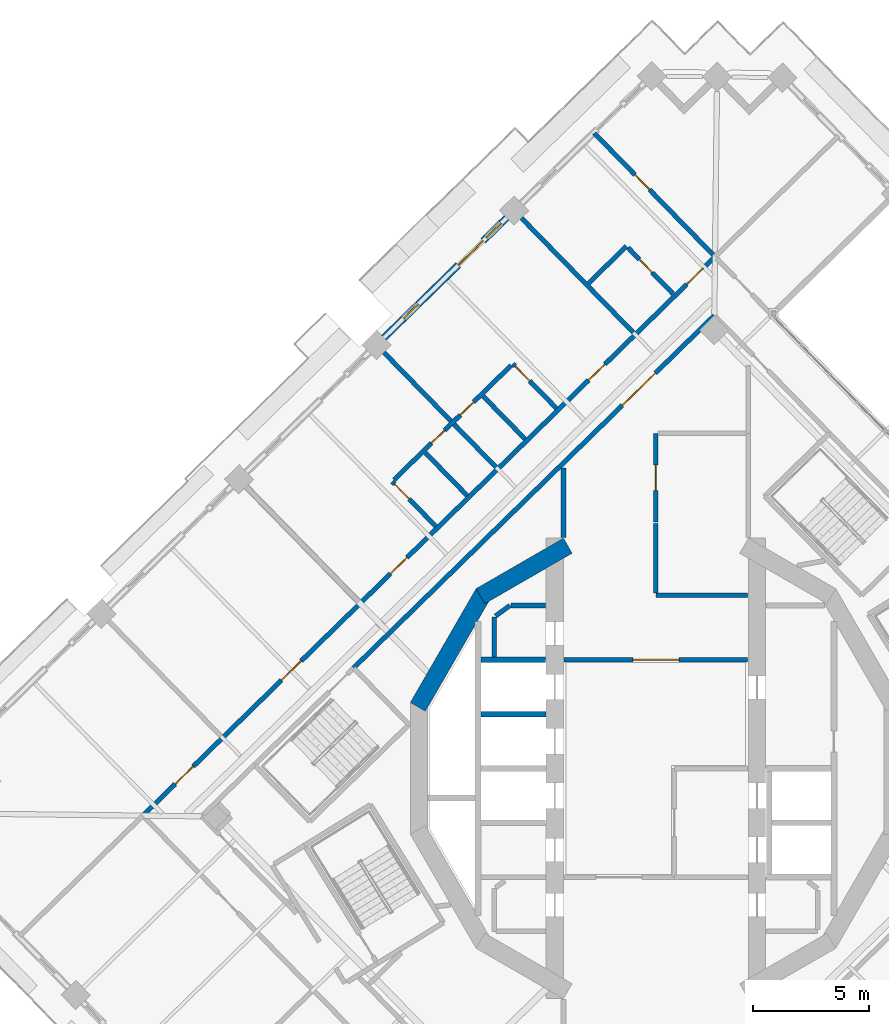
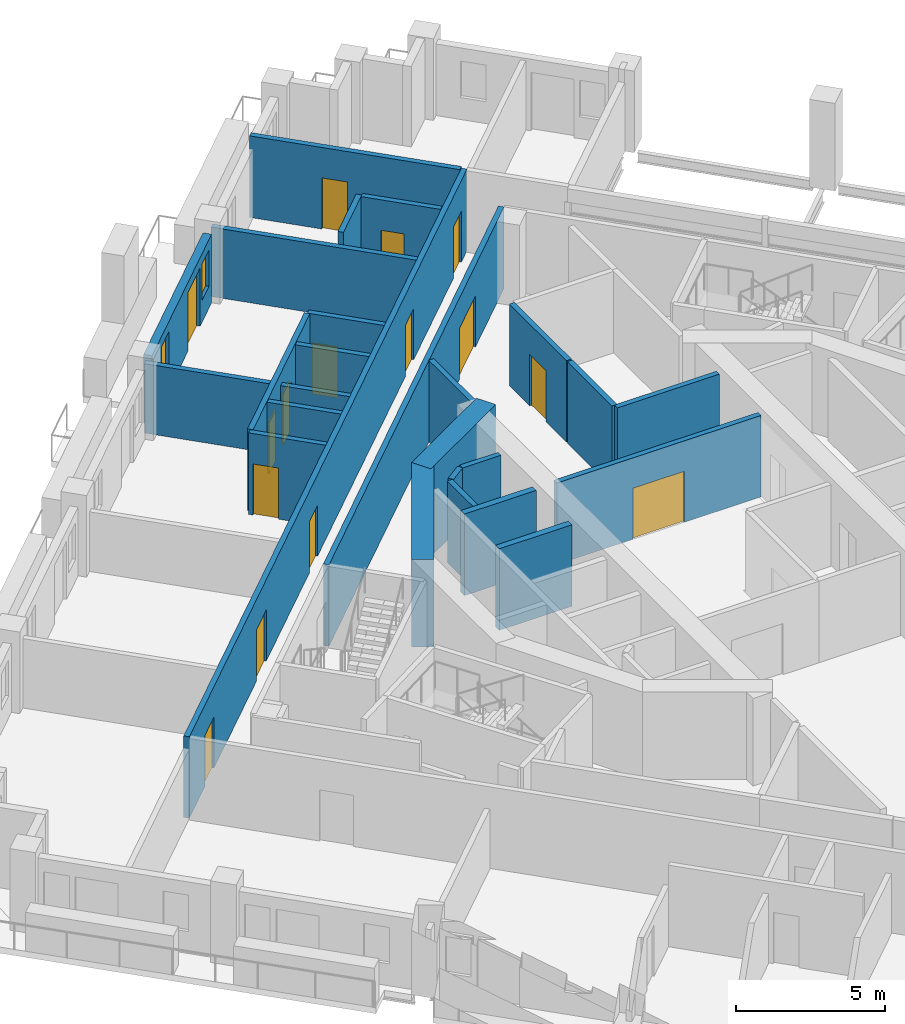
# One storey, part 11 of 20: 25 walls, 15 doors, 2 windows, 17 openings.
"""IFC4 building model written with IfcOpenShell, lengths in metres."""

from ifc_helpers import new_model, si_unit, direction, frame, frame_2d, origin, place, context, subcontext, project, spatial, rectangle, extrude, material, layer, layer_set, type_object, element, fill, save


model = new_model("IFC4")

# Units and contexts
model_context = context("Model", 3, precision=1e-05, world=origin(), true_north=direction((0.0, 1.0)))
body_context = subcontext(model_context, "Body", "Model", "MODEL_VIEW")
ifc_project = project(units=[si_unit("LENGTHUNIT", "METRE"), si_unit("AREAUNIT", "SQUARE_METRE"), si_unit("VOLUMEUNIT", "CUBIC_METRE"), si_unit("PLANEANGLEUNIT", "RADIAN"), si_unit("MASSUNIT", "GRAM", prefix="KILO")], contexts=[model_context])

# Site, building, storey
site_placement = place(None, origin())
site = spatial("IfcSite", under=ifc_project, at=site_placement, CompositionType="ELEMENT")
building_placement = place(site_placement, origin())
building = spatial("IfcBuilding", under=site, at=building_placement, Name="Cantera Rosa Tower", CompositionType="ELEMENT")
storey_placement = place(building_placement, frame((0.0, 0.0, 209.0)))
storey = spatial("IfcBuildingStorey", under=building, at=storey_placement, Name="L44", CompositionType="ELEMENT", Elevation=209.0)

# Wall
ifc_material_1 = material(Name="Gypsum board partition")
ifc_layer_1 = layer(ifc_material_1, 0.199951171875)
ifc_layer_set_1 = layer_set([ifc_layer_1], Name="CORRIDOR WALL 200 H3350")
wall_type_1 = type_object("IfcWallType", Name="CORRIDOR WALL 200 H3350", PredefinedType="PARTITIONING", material=ifc_layer_set_1)
wall_1_placement = place(storey_placement, frame((-4.0, 9.994140625, 0.0), z_axis=(0.0, 0.0, 1.0), x_axis=(0.0, 1.0, 0.0)))
element("IfcWall", 1, at=wall_1_placement, inside=storey, type_object=wall_type_1, Name="CORRIDOR WALL L44-058", PredefinedType="PARTITIONING", context=body_context, shape_type="SweptSolid", body=[
    extrude(rectangle(XDim=3.00390625, YDim=0.199951171875, at=frame_2d((1.501953125, 0.0))), origin(), (0.0, 0.0, 1.0), 3.35009765625),
])

# Wall, opening, door
wall_2_placement = place(storey_placement, frame((-3.969970703125, 4.699951171875, 0.0), z_axis=(0.0, 0.0, 1.0), x_axis=(1.0, 0.0, 0.0)))
wall_2 = element("IfcWall", 2, at=wall_2_placement, inside=storey, type_object=wall_type_1, Name="CORRIDOR WALL L44-059", PredefinedType="PARTITIONING", context=body_context, shape_type="SweptSolid", body=[
    extrude(rectangle(XDim=7.93994140625, YDim=0.199951171875, at=frame_2d((3.969970703125, 0.0))), origin(), (0.0, 0.0, 1.0), 3.35009765625),
])
opening_1_placement = place(wall_2_placement, frame((2.969970703125, 0.0, 0.0)))
opening_1 = element("IfcOpeningElement", 3, at=opening_1_placement, cuts=wall_2, Name="Opening L44-013", PredefinedType="OPENING", context=body_context, shape_type="SweptSolid", body=[
    extrude(rectangle(XDim=2.0, YDim=2.10009765625, at=frame_2d((1.0, 1.050048828125))), frame((0.0, 0.10986328125, 0.0), z_axis=(0.0, -1.0, 0.0), x_axis=(1.0, 0.0, 0.0)), (0.0, 0.0, 1.0), 0.219970703125),
])
ifc_material_2 = material(Name="Steel S355J2 (EN 10025-2)", Category="steel")
door_type_1 = type_object("IfcDoorType", Name="LOBBY SCREEN DOOR 2000x2100", OperationType="NOTDEFINED", PredefinedType="DOOR", material=ifc_material_2)
door_1_placement = place(opening_1_placement, origin())
door_1 = element("IfcDoor", 4, at=door_1_placement, inside=storey, type_object=door_type_1, Name="DOOR L44-013", OperationType="NOTDEFINED", OverallHeight=2.10009765625, OverallWidth=2.0, PredefinedType="DOOR", context=body_context, shape_type="SweptSolid", body=[
    extrude(rectangle(XDim=2.0, YDim=2.10009765625, at=frame_2d((1.0, 1.050048828125))), frame((0.0, 0.02490234375, 0.0), z_axis=(0.0, -1.0, 0.0), x_axis=(1.0, 0.0, 0.0)), (0.0, 0.0, 1.0), 0.050048828125),
])
fill(opening_1, door_1)

# Walls
wall_3_placement = place(storey_placement, frame((0.0, 7.5, 0.0), z_axis=(0.0, 0.0, 1.0), x_axis=(1.0, 0.0, 0.0)))
element("IfcWall", 5, at=wall_3_placement, inside=storey, type_object=wall_type_1, Name="CORRIDOR WALL L44-065", PredefinedType="PARTITIONING", context=body_context, shape_type="SweptSolid", body=[
    extrude(rectangle(XDim=3.969970703125, YDim=0.199951171875, at=frame_2d((1.98486328125, 0.0))), origin(), (0.0, 0.0, 1.0), 3.35009765625),
])
wall_4_placement = place(storey_placement, frame((0.0, 10.59521484375, 0.0), z_axis=(0.0, 0.0, 1.0), x_axis=(0.0, -1.0, 0.0)))
element("IfcWall", 6, at=wall_4_placement, inside=storey, type_object=wall_type_1, Name="CORRIDOR WALL L44-066", PredefinedType="PARTITIONING", context=body_context, shape_type="SweptSolid", body=[
    extrude(rectangle(XDim=3.01513671875, YDim=0.199951171875, at=frame_2d((1.507568359375, 0.0))), origin(), (0.0, 0.0, 1.0), 3.35009765625),
])

# Wall, opening, door
wall_5_placement = place(storey_placement, frame((0.0, 14.5, 0.0), z_axis=(0.0, 0.0, 1.0), x_axis=(0.0, -1.0, 0.0)))
wall_5 = element("IfcWall", 7, at=wall_5_placement, inside=storey, type_object=wall_type_1, Name="CORRIDOR WALL L44-067", PredefinedType="PARTITIONING", context=body_context, shape_type="SweptSolid", body=[
    extrude(rectangle(XDim=3.8447265625, YDim=0.199951171875, at=frame_2d((1.92236328125, 0.0))), origin(), (0.0, 0.0, 1.0), 3.35009765625),
])
opening_2_placement = place(wall_5_placement, frame((1.372314453125, 0.0, 0.0)))
opening_2 = element("IfcOpeningElement", 8, at=opening_2_placement, cuts=wall_5, Name="Opening L44-017", PredefinedType="OPENING", context=body_context, shape_type="SweptSolid", body=[
    extrude(rectangle(XDim=1.10009765625, YDim=2.10009765625, at=frame_2d((0.550048828125, 1.050048828125))), frame((0.0, 0.10986328125, 0.0), z_axis=(0.0, -1.0, 0.0), x_axis=(1.0, 0.0, 0.0)), (0.0, 0.0, 1.0), 0.219970703125),
])
ifc_material_3 = material(Name="Timber door leaf", Category="wood")
door_type_2 = type_object("IfcDoorType", Name="ROOM DOOR 1100x2100", OperationType="NOTDEFINED", PredefinedType="DOOR", material=ifc_material_3)
door_2_placement = place(opening_2_placement, origin())
door_2 = element("IfcDoor", 9, at=door_2_placement, inside=storey, type_object=door_type_2, Name="DOOR L44-017", OperationType="NOTDEFINED", OverallHeight=2.10009765625, OverallWidth=1.10009765625, PredefinedType="DOOR", context=body_context, shape_type="SweptSolid", body=[
    extrude(rectangle(XDim=1.10009765625, YDim=2.10009765625, at=frame_2d((0.550048828125, 1.050048828125))), frame((0.0, 0.02490234375, 0.0), z_axis=(0.0, -1.0, 0.0), x_axis=(1.0, 0.0, 0.0)), (0.0, 0.0, 1.0), 0.050048828125),
])
fill(opening_2, door_2)

wall_6_placement = place(storey_placement, frame((2.5263671875, 19.593994140625, 0.0), z_axis=(0.0, 0.0, 1.0), x_axis=(-0.715295644999, -0.698821966059, 0.0)))
wall_6 = element("IfcWall", 10, at=wall_6_placement, inside=storey, type_object=wall_type_1, Name="CORRIDOR WALL L44-072", PredefinedType="PARTITIONING", context=body_context, shape_type="SweptSolid", body=[
    extrude(rectangle(XDim=21.815185546875, YDim=0.199951171875, at=frame_2d((10.90771484375, 0.0))), origin(), (0.0, 0.0, 1.0), 3.35009765625),
])
opening_3_placement = place(wall_6_placement, frame((3.56201171875, 0.0, 0.0)))
opening_3 = element("IfcOpeningElement", 11, at=opening_3_placement, cuts=wall_6, Name="Opening L44-012", PredefinedType="OPENING", context=body_context, shape_type="SweptSolid", body=[
    extrude(rectangle(XDim=2.0, YDim=2.10009765625, at=frame_2d((1.0, 1.050048828125))), frame((0.0, 0.10986328125, 0.0), z_axis=(0.0, -1.0, 0.0), x_axis=(1.0, 0.0, 0.0)), (0.0, 0.0, 1.0), 0.219970703125),
])
door_3_placement = place(opening_3_placement, origin())
door_3 = element("IfcDoor", 12, at=door_3_placement, inside=storey, type_object=door_type_1, Name="DOOR L44-012", OperationType="NOTDEFINED", OverallHeight=2.10009765625, OverallWidth=2.0, PredefinedType="DOOR", context=body_context, shape_type="SweptSolid", body=[
    extrude(rectangle(XDim=2.0, YDim=2.10009765625, at=frame_2d((1.0, 1.050048828125))), frame((0.0, 0.02490234375, 0.0), z_axis=(0.0, -1.0, 0.0), x_axis=(1.0, 0.0, 0.0)), (0.0, 0.0, 1.0), 0.050048828125),
])
fill(opening_3, door_3)

# Wall, openings, doors
wall_7_placement = place(storey_placement, frame((2.555908203125, 22.1396484375, 0.0), z_axis=(0.0, 0.0, 1.0), x_axis=(-0.715286274513, -0.698831557311, 0.0)))
wall_7 = element("IfcWall", 13, at=wall_7_placement, inside=storey, type_object=wall_type_1, Name="CORRIDOR WALL L44-073", PredefinedType="PARTITIONING", context=body_context, shape_type="SweptSolid", body=[
    extrude(rectangle(XDim=34.60009765625, YDim=0.199951171875, at=frame_2d((17.300048828125, 0.0))), origin(), (0.0, 0.0, 1.0), 3.35009765625),
])
opening_4_placement = place(wall_7_placement, frame((6.655029296875, 0.0, 0.0)))
opening_4 = element("IfcOpeningElement", 14, at=opening_4_placement, cuts=wall_7, Name="Opening L44-027", PredefinedType="OPENING", context=body_context, shape_type="SweptSolid", body=[
    extrude(rectangle(XDim=1.0, YDim=2.10009765625, at=frame_2d((0.5, 1.050048828125))), frame((0.0, 0.10986328125, 0.0), z_axis=(0.0, -1.0, 0.0), x_axis=(1.0, 0.0, 0.0)), (0.0, 0.0, 1.0), 0.219970703125),
])
opening_5_placement = place(wall_7_placement, frame((18.625, 0.0, 0.0)))
opening_5 = element("IfcOpeningElement", 15, at=opening_5_placement, cuts=wall_7, Name="Opening L44-030", PredefinedType="OPENING", context=body_context, shape_type="SweptSolid", body=[
    extrude(rectangle(XDim=1.0, YDim=2.10009765625, at=frame_2d((0.5, 1.050048828125))), frame((0.0, 0.10986328125, 0.0), z_axis=(0.0, -1.0, 0.0), x_axis=(1.0, 0.0, 0.0)), (0.0, 0.0, 1.0), 0.219970703125),
])
opening_6_placement = place(wall_7_placement, frame((25.02001953125, 0.0, 0.0)))
opening_6 = element("IfcOpeningElement", 16, at=opening_6_placement, cuts=wall_7, Name="Opening L44-033", PredefinedType="OPENING", context=body_context, shape_type="SweptSolid", body=[
    extrude(rectangle(XDim=1.199951171875, YDim=2.10009765625, at=frame_2d((0.60009765625, 1.050048828125))), frame((0.0, 0.10986328125, 0.0), z_axis=(0.0, -1.0, 0.0), x_axis=(1.0, 0.0, 0.0)), (0.0, 0.0, 1.0), 0.219970703125),
])
opening_7_placement = place(wall_7_placement, frame((0.7099609375, 0.0, 0.0)))
opening_7 = element("IfcOpeningElement", 17, at=opening_7_placement, cuts=wall_7, Name="Opening L44-034", PredefinedType="OPENING", context=body_context, shape_type="SweptSolid", body=[
    extrude(rectangle(XDim=1.0, YDim=2.10009765625, at=frame_2d((0.5, 1.050048828125))), frame((0.0, 0.10986328125, 0.0), z_axis=(0.0, -1.0, 0.0), x_axis=(1.0, 0.0, 0.0)), (0.0, 0.0, 1.0), 0.219970703125),
])
opening_8_placement = place(wall_7_placement, frame((31.550048828125, 0.0, 0.0)))
opening_8 = element("IfcOpeningElement", 18, at=opening_8_placement, cuts=wall_7, Name="Opening L44-037", PredefinedType="OPENING", context=body_context, shape_type="SweptSolid", body=[
    extrude(rectangle(XDim=1.10009765625, YDim=2.10009765625, at=frame_2d((0.550048828125, 1.050048828125))), frame((0.0, 0.10986328125, 0.0), z_axis=(0.0, -1.0, 0.0), x_axis=(1.0, 0.0, 0.0)), (0.0, 0.0, 1.0), 0.219970703125),
])
ifc_material_4 = material(Name="Timber door leaf", Category="wood")
door_type_3 = type_object("IfcDoorType", Name="ENTRANCE DOOR 1000x2100", OperationType="NOTDEFINED", PredefinedType="DOOR", material=ifc_material_4)
door_4_placement = place(opening_4_placement, origin())
door_4 = element("IfcDoor", 19, at=door_4_placement, inside=storey, type_object=door_type_3, Name="DOOR L44-027", OperationType="NOTDEFINED", OverallHeight=2.10009765625, OverallWidth=1.0, PredefinedType="DOOR", context=body_context, shape_type="SweptSolid", body=[
    extrude(rectangle(XDim=1.0, YDim=2.10009765625, at=frame_2d((0.5, 1.050048828125))), frame((0.0, 0.02490234375, 0.0), z_axis=(0.0, -1.0, 0.0), x_axis=(1.0, 0.0, 0.0)), (0.0, 0.0, 1.0), 0.050048828125),
])
fill(opening_4, door_4)
door_5_placement = place(opening_5_placement, origin())
door_5 = element("IfcDoor", 20, at=door_5_placement, inside=storey, type_object=door_type_3, Name="DOOR L44-030", OperationType="NOTDEFINED", OverallHeight=2.10009765625, OverallWidth=1.0, PredefinedType="DOOR", context=body_context, shape_type="SweptSolid", body=[
    extrude(rectangle(XDim=1.0, YDim=2.10009765625, at=frame_2d((0.5, 1.050048828125))), frame((0.0, 0.02490234375, 0.0), z_axis=(0.0, -1.0, 0.0), x_axis=(1.0, 0.0, 0.0)), (0.0, 0.0, 1.0), 0.050048828125),
])
fill(opening_5, door_5)
door_6_placement = place(opening_7_placement, origin())
door_6 = element("IfcDoor", 21, at=door_6_placement, inside=storey, type_object=door_type_3, Name="DOOR L44-034", OperationType="NOTDEFINED", OverallHeight=2.10009765625, OverallWidth=1.0, PredefinedType="DOOR", context=body_context, shape_type="SweptSolid", body=[
    extrude(rectangle(XDim=1.0, YDim=2.10009765625, at=frame_2d((0.5, 1.050048828125))), frame((0.0, 0.02490234375, 0.0), z_axis=(0.0, -1.0, 0.0), x_axis=(1.0, 0.0, 0.0)), (0.0, 0.0, 1.0), 0.050048828125),
])
fill(opening_7, door_6)
door_7_placement = place(opening_8_placement, origin())
door_7 = element("IfcDoor", 22, at=door_7_placement, inside=storey, type_object=door_type_2, Name="DOOR L44-037", OperationType="NOTDEFINED", OverallHeight=2.10009765625, OverallWidth=1.10009765625, PredefinedType="DOOR", context=body_context, shape_type="SweptSolid", body=[
    extrude(rectangle(XDim=1.10009765625, YDim=2.10009765625, at=frame_2d((0.550048828125, 1.050048828125))), frame((0.0, 0.02490234375, 0.0), z_axis=(0.0, -1.0, 0.0), x_axis=(1.0, 0.0, 0.0)), (0.0, 0.0, 1.0), 0.050048828125),
])
fill(opening_8, door_7)
ifc_material_5 = material(Name="Timber door leaf", Category="wood")
door_type_4 = type_object("IfcDoorType", Name="ROOM DOOR 1200x2100", OperationType="NOTDEFINED", PredefinedType="DOOR", material=ifc_material_5)
door_8_placement = place(opening_6_placement, origin())
door_8 = element("IfcDoor", 23, at=door_8_placement, inside=storey, type_object=door_type_4, Name="DOOR L44-033", OperationType="NOTDEFINED", OverallHeight=2.10009765625, OverallWidth=1.199951171875, PredefinedType="DOOR", context=body_context, shape_type="SweptSolid", body=[
    extrude(rectangle(XDim=1.199951171875, YDim=2.10009765625, at=frame_2d((0.60009765625, 1.050048828125))), frame((0.0, 0.02490234375, 0.0), z_axis=(0.0, -1.0, 0.0), x_axis=(1.0, 0.0, 0.0)), (0.0, 0.0, 1.0), 0.050048828125),
])
fill(opening_6, door_8)

# Wall, openings, windows, door
ifc_material_6 = material(Name="Hollow clay masonry with cantera stone cladding", Category="masonry")
ifc_layer_2 = layer(ifc_material_6, 0.300048828125)
ifc_layer_set_2 = layer_set([ifc_layer_2], Name="EW-LOGGIA 300 H2820")
wall_type_2 = type_object("IfcWallType", Name="EW-LOGGIA 300 H2820", PredefinedType="SOLIDWALL", material=ifc_layer_set_2)
wall_8_placement = place(storey_placement, frame((-6.454833984375, 23.8212890625, 0.0), z_axis=(0.0, 0.0, 1.0), x_axis=(-0.715300826176, -0.698816662703, 0.0)))
wall_8 = element("IfcWall", 24, at=wall_8_placement, inside=storey, type_object=wall_type_2, Name="EN-L44-W08", PredefinedType="SOLIDWALL", context=body_context, shape_type="SweptSolid", body=[
    extrude(rectangle(XDim=7.420166015625, YDim=0.300048828125, at=frame_2d((3.7099609375, 0.0))), origin(), (0.0, 0.0, 1.0), 2.820068359375),
])
opening_9_placement = place(wall_8_placement, frame((0.330078125, 0.0, 0.89990234375)))
opening_9 = element("IfcOpeningElement", 25, at=opening_9_placement, cuts=wall_8, Name="Opening L44-W10", PredefinedType="OPENING", context=body_context, shape_type="SweptSolid", body=[
    extrude(rectangle(XDim=0.89990234375, YDim=1.5, at=frame_2d((0.449951171875, 0.75))), frame((0.0, 0.159912109375, 0.0), z_axis=(0.0, -1.0, 0.0), x_axis=(1.0, 0.0, 0.0)), (0.0, 0.0, 1.0), 0.320068359375),
])
opening_10_placement = place(wall_8_placement, frame((1.429931640625, 0.0, 0.0)))
opening_10 = element("IfcOpeningElement", 26, at=opening_10_placement, cuts=wall_8, Name="Opening L44-TD11", PredefinedType="OPENING", context=body_context, shape_type="SweptSolid", body=[
    extrude(rectangle(XDim=1.5, YDim=2.39990234375, at=frame_2d((0.75, 1.199951171875))), frame((0.0, 0.159912109375, 0.0), z_axis=(0.0, -1.0, 0.0), x_axis=(1.0, 0.0, 0.0)), (0.0, 0.0, 1.0), 0.320068359375),
])
opening_11_placement = place(wall_8_placement, frame((5.340087890625, 0.0, 0.89990234375)))
opening_11 = element("IfcOpeningElement", 27, at=opening_11_placement, cuts=wall_8, Name="Opening L44-W12", PredefinedType="OPENING", context=body_context, shape_type="SweptSolid", body=[
    extrude(rectangle(XDim=0.89990234375, YDim=1.5, at=frame_2d((0.449951171875, 0.75))), frame((0.0, 0.159912109375, 0.0), z_axis=(0.0, -1.0, 0.0), x_axis=(1.0, 0.0, 0.0)), (0.0, 0.0, 1.0), 0.320068359375),
])
ifc_material_7 = material(Name="Aluminium frame with clear glass", Category="aluminium")
window_type = type_object("IfcWindowType", Name="Residential window 900x1500", PartitioningType="SINGLE_PANEL", PredefinedType="WINDOW", material=ifc_material_7)
window_1_placement = place(opening_9_placement, origin())
window_1 = element("IfcWindow", 28, at=window_1_placement, inside=storey, type_object=window_type, Name="WINDOW L44-W10", OverallHeight=1.5, OverallWidth=0.89990234375, PartitioningType="SINGLE_PANEL", PredefinedType="WINDOW", context=body_context, shape_type="SweptSolid", body=[
    extrude(rectangle(XDim=0.89990234375, YDim=1.5, at=frame_2d((0.449951171875, 0.75))), frame((0.0, 0.030029296875, 0.0), z_axis=(0.0, -1.0, 0.0), x_axis=(1.0, 0.0, 0.0)), (0.0, 0.0, 1.0), 0.06005859375),
])
fill(opening_9, window_1)
window_2_placement = place(opening_11_placement, origin())
window_2 = element("IfcWindow", 29, at=window_2_placement, inside=storey, type_object=window_type, Name="WINDOW L44-W12", OverallHeight=1.5, OverallWidth=0.89990234375, PartitioningType="SINGLE_PANEL", PredefinedType="WINDOW", context=body_context, shape_type="SweptSolid", body=[
    extrude(rectangle(XDim=0.89990234375, YDim=1.5, at=frame_2d((0.449951171875, 0.75))), frame((0.0, 0.030029296875, 0.0), z_axis=(0.0, -1.0, 0.0), x_axis=(1.0, 0.0, 0.0)), (0.0, 0.0, 1.0), 0.06005859375),
])
fill(opening_11, window_2)
ifc_material_8 = material(Name="Aluminium frame with clear glass", Category="aluminium")
door_type_5 = type_object("IfcDoorType", Name="TD-R 1500x2400", OperationType="NOTDEFINED", PredefinedType="DOOR", material=ifc_material_8)
door_9_placement = place(opening_10_placement, origin())
door_9 = element("IfcDoor", 30, at=door_9_placement, inside=storey, type_object=door_type_5, Name="LOGGIA DOOR L44-TD11", OperationType="SLIDING_TO_LEFT", OverallHeight=2.39990234375, OverallWidth=1.5, PredefinedType="DOOR", context=body_context, shape_type="SweptSolid", body=[
    extrude(rectangle(XDim=1.5, YDim=2.39990234375, at=frame_2d((0.75, 1.199951171875))), frame((0.0, 0.02490234375, 0.0), z_axis=(0.0, -1.0, 0.0), x_axis=(1.0, 0.0, 0.0)), (0.0, 0.0, 1.0), 0.050048828125),
])
fill(opening_10, door_9)

# Wall, openings, doors
ifc_material_9 = material(Name="Gypsum board partition")
ifc_layer_3 = layer(ifc_material_9, 0.199951171875)
ifc_layer_set_3 = layer_set([ifc_layer_3], Name="PARTITION 200 H3350")
wall_type_3 = type_object("IfcWallType", Name="PARTITION 200 H3350", PredefinedType="PARTITIONING", material=ifc_layer_set_3)
wall_9_placement = place(storey_placement, frame((-11.32470703125, 12.492919921875, 0.0), z_axis=(0.0, 0.0, 1.0), x_axis=(0.71528317441, 0.698834730395, 0.0)))
wall_9 = element("IfcWall", 31, at=wall_9_placement, inside=storey, type_object=wall_type_3, Name="PARTITION L44-026", PredefinedType="PARTITIONING", context=body_context, shape_type="SweptSolid", body=[
    extrude(rectangle(XDim=7.080078125, YDim=0.199951171875, at=frame_2d((3.5400390625, 0.0))), origin(), (0.0, 0.0, 1.0), 3.35009765625),
])
opening_12_placement = place(wall_9_placement, frame((4.0048828125, 0.0, 0.0)))
opening_12 = element("IfcOpeningElement", 32, at=opening_12_placement, cuts=wall_9, Name="Opening L44-028", PredefinedType="OPENING", context=body_context, shape_type="SweptSolid", body=[
    extrude(rectangle(XDim=0.800048828125, YDim=2.10009765625, at=frame_2d((0.39990234375, 1.050048828125))), frame((0.0, 0.10986328125, 0.0), z_axis=(0.0, -1.0, 0.0), x_axis=(1.0, 0.0, 0.0)), (0.0, 0.0, 1.0), 0.219970703125),
])
opening_13_placement = place(wall_9_placement, frame((2.2548828125, 0.0, 0.0)))
opening_13 = element("IfcOpeningElement", 33, at=opening_13_placement, cuts=wall_9, Name="Opening L44-031", PredefinedType="OPENING", context=body_context, shape_type="SweptSolid", body=[
    extrude(rectangle(XDim=0.800048828125, YDim=2.10009765625, at=frame_2d((0.39990234375, 1.050048828125))), frame((0.0, 0.10986328125, 0.0), z_axis=(0.0, -1.0, 0.0), x_axis=(1.0, 0.0, 0.0)), (0.0, 0.0, 1.0), 0.219970703125),
])
ifc_material_10 = material(Name="Timber door leaf", Category="wood")
door_type_6 = type_object("IfcDoorType", Name="BATHROOM DOOR 800x2100", OperationType="NOTDEFINED", PredefinedType="DOOR", material=ifc_material_10)
door_10_placement = place(opening_12_placement, origin())
door_10 = element("IfcDoor", 34, at=door_10_placement, inside=storey, type_object=door_type_6, Name="DOOR L44-028", OperationType="NOTDEFINED", OverallHeight=2.10009765625, OverallWidth=0.800048828125, PredefinedType="DOOR", context=body_context, shape_type="SweptSolid", body=[
    extrude(rectangle(XDim=0.800048828125, YDim=2.10009765625, at=frame_2d((0.39990234375, 1.050048828125))), frame((0.0, 0.02490234375, 0.0), z_axis=(0.0, -1.0, 0.0), x_axis=(1.0, 0.0, 0.0)), (0.0, 0.0, 1.0), 0.050048828125),
])
fill(opening_12, door_10)
door_11_placement = place(opening_13_placement, origin())
door_11 = element("IfcDoor", 35, at=door_11_placement, inside=storey, type_object=door_type_6, Name="DOOR L44-031", OperationType="NOTDEFINED", OverallHeight=2.10009765625, OverallWidth=0.800048828125, PredefinedType="DOOR", context=body_context, shape_type="SweptSolid", body=[
    extrude(rectangle(XDim=0.800048828125, YDim=2.10009765625, at=frame_2d((0.39990234375, 1.050048828125))), frame((0.0, 0.02490234375, 0.0), z_axis=(0.0, -1.0, 0.0), x_axis=(1.0, 0.0, 0.0)), (0.0, 0.0, 1.0), 0.050048828125),
])
fill(opening_13, door_11)

# Wall, opening, door
wall_10_placement = place(storey_placement, frame((-9.523681640625, 10.477783203125, 0.0), z_axis=(0.0, 0.0, 1.0), x_axis=(-0.69882992157, 0.715287872621, 0.0)))
wall_10 = element("IfcWall", 36, at=wall_10_placement, inside=storey, type_object=wall_type_3, Name="PARTITION L44-029", PredefinedType="PARTITIONING", context=body_context, shape_type="SweptSolid", body=[
    extrude(rectangle(XDim=2.69970703125, YDim=0.199951171875, at=frame_2d((1.349853515625, 0.0))), origin(), (0.0, 0.0, 1.0), 3.35009765625),
])
opening_14_placement = place(wall_10_placement, frame((1.64990234375, 0.0, 0.0)))
opening_14 = element("IfcOpeningElement", 37, at=opening_14_placement, cuts=wall_10, Name="Opening L44-032", PredefinedType="OPENING", context=body_context, shape_type="SweptSolid", body=[
    extrude(rectangle(XDim=0.89990234375, YDim=2.10009765625, at=frame_2d((0.449951171875, 1.050048828125))), frame((0.0, 0.10986328125, 0.0), z_axis=(0.0, -1.0, 0.0), x_axis=(1.0, 0.0, 0.0)), (0.0, 0.0, 1.0), 0.219970703125),
])
ifc_material_11 = material(Name="Timber door leaf", Category="wood")
door_type_7 = type_object("IfcDoorType", Name="ROOM DOOR 900x2100", OperationType="NOTDEFINED", PredefinedType="DOOR", material=ifc_material_11)
door_12_placement = place(opening_14_placement, origin())
door_12 = element("IfcDoor", 38, at=door_12_placement, inside=storey, type_object=door_type_7, Name="DOOR L44-032", OperationType="NOTDEFINED", OverallHeight=2.10009765625, OverallWidth=0.89990234375, PredefinedType="DOOR", context=body_context, shape_type="SweptSolid", body=[
    extrude(rectangle(XDim=0.89990234375, YDim=2.10009765625, at=frame_2d((0.449951171875, 1.050048828125))), frame((0.0, 0.02490234375, 0.0), z_axis=(0.0, -1.0, 0.0), x_axis=(1.0, 0.0, 0.0)), (0.0, 0.0, 1.0), 0.050048828125),
])
fill(opening_14, door_12)

# Walls
wall_11_placement = place(storey_placement, frame((-8.16455078125, 11.805419921875, 0.0), z_axis=(0.0, 0.0, 1.0), x_axis=(-0.698826236875, 0.715291472517, 0.0)))
element("IfcWall", 39, at=wall_11_placement, inside=storey, type_object=wall_type_3, Name="PARTITION L44-034", PredefinedType="PARTITIONING", context=body_context, shape_type="SweptSolid", body=[
    extrude(rectangle(XDim=2.580078125, YDim=0.199951171875, at=frame_2d((1.2900390625, 0.0))), origin(), (0.0, 0.0, 1.0), 3.35009765625),
])
wall_12_placement = place(storey_placement, frame((-7.464111328125, 16.0966796875, 0.0), z_axis=(0.0, 0.0, 1.0), x_axis=(0.698873539617, -0.715245255575, 0.0)))
element("IfcWall", 40, at=wall_12_placement, inside=storey, type_object=wall_type_3, Name="PARTITION L44-041", PredefinedType="PARTITIONING", context=body_context, shape_type="SweptSolid", body=[
    extrude(rectangle(XDim=2.579833984375, YDim=0.199951171875, at=frame_2d((1.2900390625, 0.0))), origin(), (0.0, 0.0, 1.0), 3.35009765625),
])
wall_13_placement = place(storey_placement, frame((-7.0, 4.824951171875, 0.0), z_axis=(0.0, 0.0, 1.0), x_axis=(0.0, 1.0, 0.0)))
element("IfcWall", 41, at=wall_13_placement, inside=storey, type_object=wall_type_3, Name="PARTITION L44-045", PredefinedType="PARTITIONING", context=body_context, shape_type="SweptSolid", body=[
    extrude(rectangle(XDim=1.72509765625, YDim=0.199951171875, at=frame_2d((0.862548828125, 0.0))), origin(), (0.0, 0.0, 1.0), 3.35009765625),
])
wall_14_placement = place(storey_placement, frame((-6.935302734375, 6.59716796875, 0.0), z_axis=(0.0, 0.0, 1.0), x_axis=(0.808227862651, 0.588869868506, 0.0)))
element("IfcWall", 42, at=wall_14_placement, inside=storey, type_object=wall_type_3, Name="PARTITION L44-046", PredefinedType="PARTITIONING", context=body_context, shape_type="SweptSolid", body=[
    extrude(rectangle(XDim=0.76904296875, YDim=0.199951171875, at=frame_2d((0.384521484375, 0.0))), origin(), (0.0, 0.0, 1.0), 3.35009765625),
])
wall_15_placement = place(storey_placement, frame((-6.273681640625, 7.050048828125, 0.0), z_axis=(0.0, 0.0, 1.0), x_axis=(1.0, 0.0, 0.0)))
element("IfcWall", 43, at=wall_15_placement, inside=storey, type_object=wall_type_3, Name="PARTITION L44-048", PredefinedType="PARTITIONING", context=body_context, shape_type="SweptSolid", body=[
    extrude(rectangle(XDim=1.49365234375, YDim=0.199951171875, at=frame_2d((0.746826171875, 0.0))), origin(), (0.0, 0.0, 1.0), 3.35009765625),
])

# Wall, opening, door
wall_16_placement = place(storey_placement, frame((-6.18896484375, 17.510498046875, 0.0), z_axis=(0.0, 0.0, 1.0), x_axis=(0.69883098597, -0.71528683271, 0.0)))
wall_16 = element("IfcWall", 44, at=wall_16_placement, inside=storey, type_object=wall_type_3, Name="PARTITION L44-049", PredefinedType="PARTITIONING", context=body_context, shape_type="SweptSolid", body=[
    extrude(rectangle(XDim=2.7001953125, YDim=0.199951171875, at=frame_2d((1.35009765625, 0.0))), origin(), (0.0, 0.0, 1.0), 3.35009765625),
])
opening_15_placement = place(wall_16_placement, frame((0.14990234375, 0.0, 0.0)))
opening_15 = element("IfcOpeningElement", 45, at=opening_15_placement, cuts=wall_16, Name="Opening L44-029", PredefinedType="OPENING", context=body_context, shape_type="SweptSolid", body=[
    extrude(rectangle(XDim=0.89990234375, YDim=2.10009765625, at=frame_2d((0.449951171875, 1.050048828125))), frame((0.0, 0.10986328125, 0.0), z_axis=(0.0, -1.0, 0.0), x_axis=(1.0, 0.0, 0.0)), (0.0, 0.0, 1.0), 0.219970703125),
])
door_13_placement = place(opening_15_placement, origin())
door_13 = element("IfcDoor", 46, at=door_13_placement, inside=storey, type_object=door_type_7, Name="DOOR L44-029", OperationType="NOTDEFINED", OverallHeight=2.10009765625, OverallWidth=0.89990234375, PredefinedType="DOOR", context=body_context, shape_type="SweptSolid", body=[
    extrude(rectangle(XDim=0.89990234375, YDim=2.10009765625, at=frame_2d((0.449951171875, 1.050048828125))), frame((0.0, 0.02490234375, 0.0), z_axis=(0.0, -1.0, 0.0), x_axis=(1.0, 0.0, 0.0)), (0.0, 0.0, 1.0), 0.050048828125),
])
fill(opening_15, door_13)

# Wall
wall_17_placement = place(storey_placement, frame((-2.902587890625, 21.0009765625, 0.0), z_axis=(0.0, 0.0, 1.0), x_axis=(0.715356263827, 0.698759912848, 0.0)))
element("IfcWall", 47, at=wall_17_placement, inside=storey, type_object=wall_type_3, Name="PARTITION L44-060", PredefinedType="PARTITIONING", context=body_context, shape_type="SweptSolid", body=[
    extrude(rectangle(XDim=2.280029296875, YDim=0.199951171875, at=frame_2d((1.14013671875, 0.0))), origin(), (0.0, 0.0, 1.0), 3.35009765625),
])

# Wall, opening, door
wall_18_placement = place(storey_placement, frame((-1.20166015625, 22.522705078125, 0.0), z_axis=(0.0, 0.0, 1.0), x_axis=(0.698803279279, -0.715313900934, 0.0)))
wall_18 = element("IfcWall", 48, at=wall_18_placement, inside=storey, type_object=wall_type_3, Name="PARTITION L44-064", PredefinedType="PARTITIONING", context=body_context, shape_type="SweptSolid", body=[
    extrude(rectangle(XDim=2.780029296875, YDim=0.199951171875, at=frame_2d((1.39013671875, 0.0))), origin(), (0.0, 0.0, 1.0), 3.35009765625),
])
opening_16_placement = place(wall_18_placement, frame((0.699951171875, 0.0, 0.0)))
opening_16 = element("IfcOpeningElement", 49, at=opening_16_placement, cuts=wall_18, Name="Opening L44-035", PredefinedType="OPENING", context=body_context, shape_type="SweptSolid", body=[
    extrude(rectangle(XDim=0.800048828125, YDim=2.10009765625, at=frame_2d((0.39990234375, 1.050048828125))), frame((0.0, 0.10986328125, 0.0), z_axis=(0.0, -1.0, 0.0), x_axis=(1.0, 0.0, 0.0)), (0.0, 0.0, 1.0), 0.219970703125),
])
door_14_placement = place(opening_16_placement, origin())
door_14 = element("IfcDoor", 50, at=door_14_placement, inside=storey, type_object=door_type_6, Name="DOOR L44-035", OperationType="NOTDEFINED", OverallHeight=2.10009765625, OverallWidth=0.800048828125, PredefinedType="DOOR", context=body_context, shape_type="SweptSolid", body=[
    extrude(rectangle(XDim=0.800048828125, YDim=2.10009765625, at=frame_2d((0.39990234375, 1.050048828125))), frame((0.0, 0.02490234375, 0.0), z_axis=(0.0, -1.0, 0.0), x_axis=(1.0, 0.0, 0.0)), (0.0, 0.0, 1.0), 0.050048828125),
])
fill(opening_16, door_14)

wall_19_placement = place(storey_placement, frame((2.471923828125, 22.225341796875, 0.0), z_axis=(0.0, 0.0, 1.0), x_axis=(-0.698820957739, 0.715296630095, 0.0)))
wall_19 = element("IfcWall", 51, at=wall_19_placement, inside=storey, type_object=wall_type_3, Name="PARTITION L44-074", PredefinedType="PARTITIONING", context=body_context, shape_type="SweptSolid", body=[
    extrude(rectangle(XDim=7.349853515625, YDim=0.199951171875, at=frame_2d((3.6748046875, 0.0))), origin(), (0.0, 0.0, 1.0), 3.35009765625),
])
opening_17_placement = place(wall_19_placement, frame((3.929931640625, 0.0, 0.0)))
opening_17 = element("IfcOpeningElement", 52, at=opening_17_placement, cuts=wall_19, Name="Opening L44-036", PredefinedType="OPENING", context=body_context, shape_type="SweptSolid", body=[
    extrude(rectangle(XDim=0.89990234375, YDim=2.10009765625, at=frame_2d((0.449951171875, 1.050048828125))), frame((0.0, 0.10986328125, 0.0), z_axis=(0.0, -1.0, 0.0), x_axis=(1.0, 0.0, 0.0)), (0.0, 0.0, 1.0), 0.219970703125),
])
door_15_placement = place(opening_17_placement, origin())
door_15 = element("IfcDoor", 53, at=door_15_placement, inside=storey, type_object=door_type_7, Name="DOOR L44-036", OperationType="NOTDEFINED", OverallHeight=2.10009765625, OverallWidth=0.89990234375, PredefinedType="DOOR", context=body_context, shape_type="SweptSolid", body=[
    extrude(rectangle(XDim=0.89990234375, YDim=2.10009765625, at=frame_2d((0.449951171875, 1.050048828125))), frame((0.0, 0.02490234375, 0.0), z_axis=(0.0, -1.0, 0.0), x_axis=(1.0, 0.0, 0.0)), (0.0, 0.0, 1.0), 0.050048828125),
])
fill(opening_17, door_15)

# Walls
ifc_material_12 = material(Name="Gypsum board partition")
ifc_layer_4 = layer(ifc_material_12, 0.199951171875)
ifc_layer_set_4 = layer_set([ifc_layer_4], Name="PARTY WALL 200 H2850")
wall_type_4 = type_object("IfcWallType", Name="PARTY WALL 200 H2850", PredefinedType="PARTITIONING", material=ifc_layer_set_4)
wall_20_placement = place(storey_placement, frame((-6.912841796875, 13.0283203125, 0.0), z_axis=(0.0, 0.0, 1.0), x_axis=(-0.698827041819, 0.715290686101, 0.0)))
element("IfcWall", 54, at=wall_20_placement, inside=storey, type_object=wall_type_4, Name="PARTY WALL L44-047", PredefinedType="PARTITIONING", context=body_context, shape_type="SweptSolid", body=[
    extrude(rectangle(XDim=7.3701171875, YDim=0.199951171875, at=frame_2d((3.68505859375, 0.0))), origin(), (0.0, 0.0, 1.0), 2.85009765625),
])
wall_21_placement = place(storey_placement, frame((-6.112060546875, 24.114501953125, 0.0), z_axis=(0.0, 0.0, 1.0), x_axis=(0.698821349183, -0.715296247667, 0.0)))
element("IfcWall", 55, at=wall_21_placement, inside=storey, type_object=wall_type_4, Name="PARTY WALL L44-050", PredefinedType="PARTITIONING", context=body_context, shape_type="SweptSolid", body=[
    extrude(rectangle(XDim=7.35009765625, YDim=0.199951171875, at=frame_2d((3.675048828125, 0.0))), origin(), (0.0, 0.0, 1.0), 2.85009765625),
])
ifc_material_13 = material(Name="Concrete C60/75", Category="concrete")
ifc_layer_5 = layer(ifc_material_13, 0.75)
ifc_layer_set_5 = layer_set([ifc_layer_5], Name="RC CORE WALL 750 C60/75")
wall_type_5 = type_object("IfcWallType", Name="RC CORE WALL 750 C60/75", PredefinedType="SHEAR", material=ifc_layer_set_5)
wall_22_placement = place(storey_placement, frame((-10.300537109375, 2.659423828125, 0.0), z_axis=(0.0, 0.0, 1.0), x_axis=(0.500021842983, 0.866012792365, 0.0)))
element("IfcWall", 56, at=wall_22_placement, inside=storey, type_object=wall_type_5, Name="CW-W4 L44", PredefinedType="SHEAR", context=body_context, shape_type="SweptSolid", body=[
    extrude(rectangle(XDim=5.694091796875, YDim=0.75, at=frame_2d((2.84716796875, 0.0))), origin(), (0.0, 0.0, 1.0), 3.60009765625),
])
wall_23_placement = place(storey_placement, frame((-7.590576171875, 7.453369140625, 0.0), z_axis=(0.0, 0.0, 1.0), x_axis=(0.866013176292, 0.50002117804, 0.0)))
element("IfcWall", 57, at=wall_23_placement, inside=storey, type_object=wall_type_5, Name="CW-W5 L44", PredefinedType="SHEAR", context=body_context, shape_type="SweptSolid", body=[
    extrude(rectangle(XDim=4.362548828125, YDim=0.75, at=frame_2d((2.18115234375, 0.0))), origin(), (0.0, 0.0, 1.0), 3.60009765625),
])
ifc_material_14 = material(Name="Masonry blockwork", Category="masonry")
ifc_layer_6 = layer(ifc_material_14, 0.25)
ifc_layer_set_6 = layer_set([ifc_layer_6], Name="SHAFT WALL 250 H3350")
wall_type_6 = type_object("IfcWallType", Name="SHAFT WALL 250 H3350", PredefinedType="SOLIDWALL", material=ifc_layer_set_6)
wall_24_placement = place(storey_placement, frame((-7.574951171875, 2.35009765625, 0.0), z_axis=(0.0, 0.0, 1.0), x_axis=(1.0, 0.0, 0.0)))
element("IfcWall", 58, at=wall_24_placement, inside=storey, type_object=wall_type_6, Name="SHAFT WALL L44-038", PredefinedType="SOLIDWALL", context=body_context, shape_type="SweptSolid", body=[
    extrude(rectangle(XDim=2.824951171875, YDim=0.25, at=frame_2d((1.41259765625, 0.0))), origin(), (0.0, 0.0, 1.0), 3.35009765625),
])
wall_25_placement = place(storey_placement, frame((-7.574951171875, 4.699951171875, 0.0), z_axis=(0.0, 0.0, 1.0), x_axis=(1.0, 0.0, 0.0)))
element("IfcWall", 59, at=wall_25_placement, inside=storey, type_object=wall_type_6, Name="SHAFT WALL L44-039", PredefinedType="SOLIDWALL", context=body_context, shape_type="SweptSolid", body=[
    extrude(rectangle(XDim=2.794921875, YDim=0.25, at=frame_2d((1.3974609375, 0.0))), origin(), (0.0, 0.0, 1.0), 3.35009765625),
])

save(model, "model.ifc")
